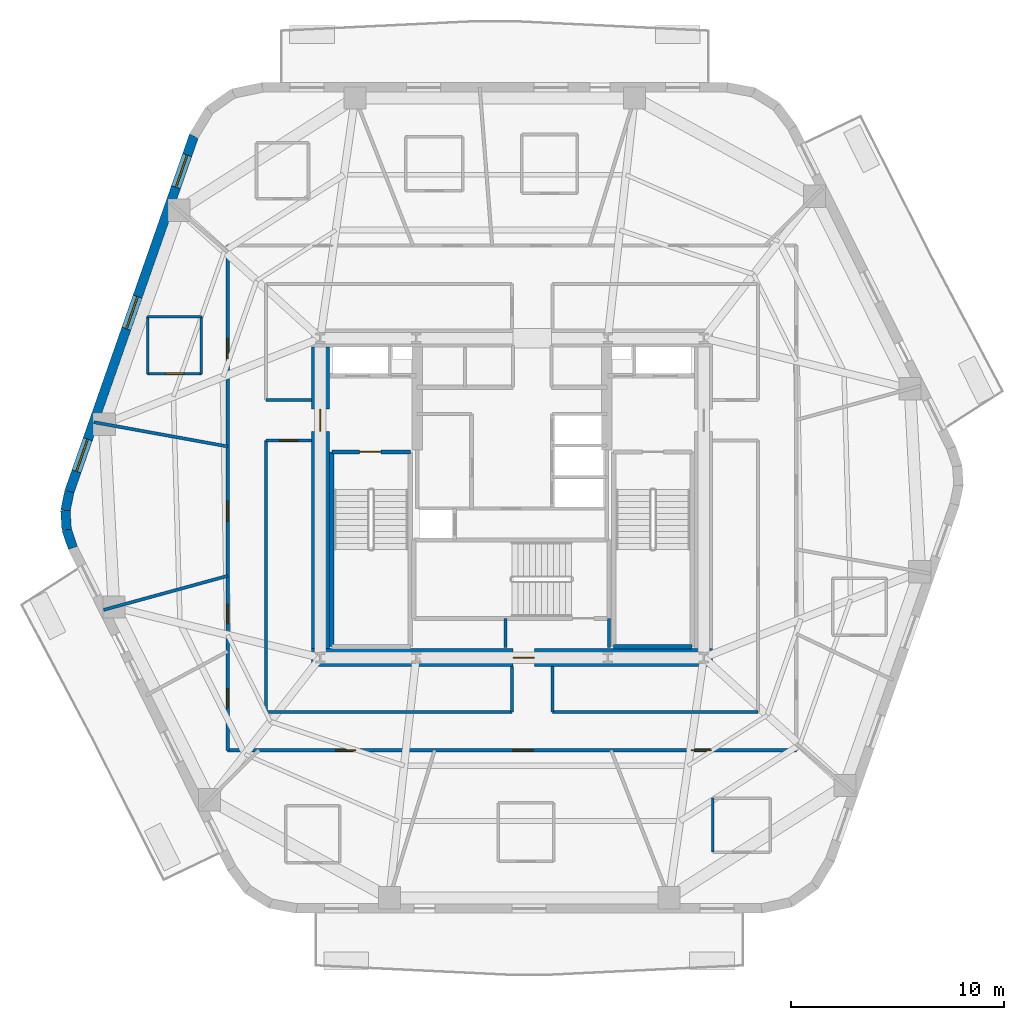
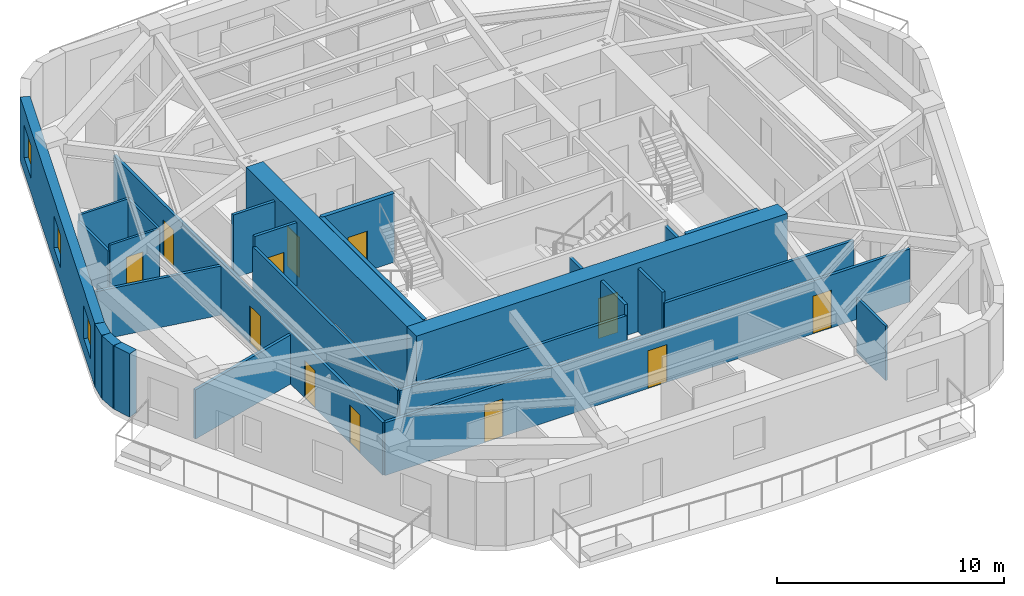
# One storey, part 3 of 10: 27 walls, 12 doors, 3 windows, 15 openings.
"""IFC4 building model written with IfcOpenShell, lengths in metres."""

from ifc_helpers import new_model, si_unit, direction, frame, frame_2d, origin, place, context, subcontext, project, spatial, rectangle, extrude, material, layer, layer_set, type_object, element, fill, save


model = new_model("IFC4")

# Units and contexts
model_context = context("Model", 3, precision=1e-05, world=origin(), true_north=direction((0.0, 1.0)))
body_context = subcontext(model_context, "Body", "Model", "MODEL_VIEW")
ifc_project = project(units=[si_unit("LENGTHUNIT", "METRE"), si_unit("AREAUNIT", "SQUARE_METRE"), si_unit("VOLUMEUNIT", "CUBIC_METRE"), si_unit("PLANEANGLEUNIT", "RADIAN"), si_unit("MASSUNIT", "GRAM", prefix="KILO")], contexts=[model_context])

# Site, building, storey
site_placement = place(None, origin())
site = spatial("IfcSite", under=ifc_project, at=site_placement, CompositionType="ELEMENT")
building_placement = place(site_placement, origin())
building = spatial("IfcBuilding", under=site, at=building_placement, Name="Kilnhurst Terrace Hotel", CompositionType="ELEMENT")
storey_placement = place(building_placement, frame((0.0, 0.0, 151.699951171875)))
storey = spatial("IfcBuildingStorey", under=building, at=storey_placement, Name="L37", CompositionType="ELEMENT", Elevation=151.699951171875)

# Walls
ifc_material_1 = material(Name="Precast concrete C40/50", Category="concrete")
ifc_layer_1 = layer(ifc_material_1, 0.449951171875, Name="Precast concrete C40/50")
ifc_layer_set_1 = layer_set([ifc_layer_1], Name="Precast concrete C40/50")
wall_type_1 = type_object("IfcWallType", Name="WL-BRK-450", PredefinedType="SOLIDWALL", material=ifc_layer_set_1)
wall_1_placement = place(storey_placement, frame((-20.78173828125, 0.298095703125, 0.0), z_axis=(0.0, 0.0, 1.0), x_axis=(-0.202570068411, -0.979267771033, 0.0)))
element("IfcWall", 1, at=wall_1_placement, inside=storey, type_object=wall_type_1, Name="L37 Rounded Corner Brick Wall C6.1", PredefinedType="SOLIDWALL", context=body_context, shape_type="SweptSolid", body=[
    extrude(rectangle(XDim=0.90869140625, YDim=0.449951171875, at=frame_2d((0.454345703125, 0.0))), origin(), (0.0, 0.0, 1.0), 3.400146484375),
])
wall_2_placement = place(storey_placement, frame((-20.9658203125, -0.591796875, 0.0), z_axis=(0.0, 0.0, 1.0), x_axis=(0.061748898935, -0.998091715966, 0.0)))
element("IfcWall", 2, at=wall_2_placement, inside=storey, type_object=wall_type_1, Name="L37 Rounded Corner Brick Wall C6.2", PredefinedType="SOLIDWALL", context=body_context, shape_type="SweptSolid", body=[
    extrude(rectangle(XDim=0.8935546875, YDim=0.449951171875, at=frame_2d((0.44677734375, 0.0))), origin(), (0.0, 0.0, 1.0), 3.400146484375),
])
wall_3_placement = place(storey_placement, frame((-20.91064453125, -1.483642578125, 0.0), z_axis=(0.0, 0.0, 1.0), x_axis=(0.321623334353, -0.946867694453, 0.0)))
element("IfcWall", 3, at=wall_3_placement, inside=storey, type_object=wall_type_1, Name="L37 Rounded Corner Brick Wall C6.3", PredefinedType="SOLIDWALL", context=body_context, shape_type="SweptSolid", body=[
    extrude(rectangle(XDim=0.90869140625, YDim=0.449951171875, at=frame_2d((0.454345703125, 0.0))), origin(), (0.0, 0.0, 1.0), 3.400146484375),
])

# Wall, openings, windows
wall_4_placement = place(storey_placement, frame((-14.936767578125, 16.993408203125, 0.0), z_axis=(0.0, 0.0, 1.0), x_axis=(-0.330431575061, -0.943829949834, 0.0)))
wall_4 = element("IfcWall", 4, at=wall_4_placement, inside=storey, type_object=wall_type_1, Name="L37 Exterior Brick Facade Wall F5", PredefinedType="SOLIDWALL", context=body_context, shape_type="SweptSolid", body=[
    extrude(rectangle(XDim=17.68896484375, YDim=0.449951171875, at=frame_2d((8.844482421875, 0.0))), origin(), (0.0, 0.0, 1.0), 3.400146484375),
])
opening_1_placement = place(wall_4_placement, frame((0.949951171875, 0.0, 0.800048828125)))
opening_1 = element("IfcOpeningElement", 5, at=opening_1_placement, cuts=wall_4, Name="Opening W-05", PredefinedType="OPENING", context=body_context, shape_type="SweptSolid", body=[
    extrude(rectangle(XDim=1.60009765625, YDim=1.75, at=frame_2d((0.800048828125, 0.875))), frame((0.0, 0.23486328125, 0.0), z_axis=(0.0, -1.0, 0.0), x_axis=(1.0, 0.0, 0.0)), (0.0, 0.0, 1.0), 0.469970703125),
])
opening_2_placement = place(wall_4_placement, frame((7.989990234375, 0.0, 0.800048828125)))
opening_2 = element("IfcOpeningElement", 6, at=opening_2_placement, cuts=wall_4, Name="Opening W-05", PredefinedType="OPENING", context=body_context, shape_type="SweptSolid", body=[
    extrude(rectangle(XDim=1.60009765625, YDim=1.75, at=frame_2d((0.800048828125, 0.875))), frame((0.0, 0.23486328125, 0.0), z_axis=(0.0, -1.0, 0.0), x_axis=(1.0, 0.0, 0.0)), (0.0, 0.0, 1.0), 0.469970703125),
])
opening_3_placement = place(wall_4_placement, frame((15.083984375, 0.0, 0.800048828125)))
opening_3 = element("IfcOpeningElement", 7, at=opening_3_placement, cuts=wall_4, Name="Opening W-05", PredefinedType="OPENING", context=body_context, shape_type="SweptSolid", body=[
    extrude(rectangle(XDim=1.60009765625, YDim=1.75, at=frame_2d((0.800048828125, 0.875))), frame((0.0, 0.23486328125, 0.0), z_axis=(0.0, -1.0, 0.0), x_axis=(1.0, 0.0, 0.0)), (0.0, 0.0, 1.0), 0.469970703125),
])
ifc_material_2 = material(Name="Thermally Broken Bronze Aluminium Alloy 6063-T6 and Low-E Glass", Category="aluminium")
window_type = type_object("IfcWindowType", Name="WIN-1600X1750", PartitioningType="SINGLE_PANEL", PredefinedType="WINDOW", material=ifc_material_2)
window_1_placement = place(opening_1_placement, origin())
window_1 = element("IfcWindow", 8, at=window_1_placement, inside=storey, type_object=window_type, Name="L37 Deep-Set Masonry Window F5.1", OverallHeight=1.75, OverallWidth=1.60009765625, PartitioningType="SINGLE_PANEL", PredefinedType="WINDOW", context=body_context, shape_type="SweptSolid", body=[
    extrude(rectangle(XDim=1.60009765625, YDim=1.75, at=frame_2d((0.800048828125, 0.875))), frame((0.0, 0.030029296875, 0.0), z_axis=(0.0, -1.0, 0.0), x_axis=(1.0, 0.0, 0.0)), (0.0, 0.0, 1.0), 0.06005859375),
])
fill(opening_1, window_1)
window_2_placement = place(opening_2_placement, origin())
window_2 = element("IfcWindow", 9, at=window_2_placement, inside=storey, type_object=window_type, Name="L37 Deep-Set Masonry Window F5.2", OverallHeight=1.75, OverallWidth=1.60009765625, PartitioningType="SINGLE_PANEL", PredefinedType="WINDOW", context=body_context, shape_type="SweptSolid", body=[
    extrude(rectangle(XDim=1.60009765625, YDim=1.75, at=frame_2d((0.800048828125, 0.875))), frame((0.0, 0.030029296875, 0.0), z_axis=(0.0, -1.0, 0.0), x_axis=(1.0, 0.0, 0.0)), (0.0, 0.0, 1.0), 0.06005859375),
])
fill(opening_2, window_2)
window_3_placement = place(opening_3_placement, origin())
window_3 = element("IfcWindow", 10, at=window_3_placement, inside=storey, type_object=window_type, Name="L37 Deep-Set Masonry Window F5.3", OverallHeight=1.75, OverallWidth=1.60009765625, PartitioningType="SINGLE_PANEL", PredefinedType="WINDOW", context=body_context, shape_type="SweptSolid", body=[
    extrude(rectangle(XDim=1.60009765625, YDim=1.75, at=frame_2d((0.800048828125, 0.875))), frame((0.0, 0.030029296875, 0.0), z_axis=(0.0, -1.0, 0.0), x_axis=(1.0, 0.0, 0.0)), (0.0, 0.0, 1.0), 0.06005859375),
])
fill(opening_3, window_3)

# Wall, openings, doors
ifc_material_3 = material(Name="Acoustic Double-Gypsum Corridor Partition Assembly")
ifc_layer_2 = layer(ifc_material_3, 0.14990234375, Name="Acoustic Double-Gypsum Corridor Partition Assembly")
ifc_layer_set_2 = layer_set([ifc_layer_2], Name="Acoustic Double-Gypsum Corridor Partition Assembly")
wall_type_2 = type_object("IfcWallType", Name="WL-COR-150", PredefinedType="PARTITIONING", material=ifc_layer_set_2)
wall_5_placement = place(storey_placement, frame((13.35009765625, -11.85009765625, 0.0), z_axis=(0.0, 0.0, 1.0), x_axis=(-1.0, 0.0, 0.0)))
wall_5 = element("IfcWall", 11, at=wall_5_placement, inside=storey, type_object=wall_type_2, Name="L37 Interior Wall WL-L37-COR-01", PredefinedType="PARTITIONING", context=body_context, shape_type="SweptSolid", body=[
    extrude(rectangle(XDim=26.7001953125, YDim=0.14990234375, at=frame_2d((13.35009765625, 0.0))), origin(), (0.0, 0.0, 1.0), 2.840087890625),
])
opening_4_placement = place(wall_5_placement, frame((20.681884765625, 0.0, 0.0)))
opening_4 = element("IfcOpeningElement", 12, at=opening_4_placement, cuts=wall_5, Name="Opening D-60B", PredefinedType="OPENING", context=body_context, shape_type="SweptSolid", body=[
    extrude(rectangle(XDim=0.949951171875, YDim=2.030029296875, at=frame_2d((0.47509765625, 1.01513671875))), frame((0.0, 0.0849609375, 0.0), z_axis=(0.0, -1.0, 0.0), x_axis=(1.0, 0.0, 0.0)), (0.0, 0.0, 1.0), 0.169921875),
])
opening_5_placement = place(wall_5_placement, frame((12.362060546875, 0.0, 0.0)))
opening_5 = element("IfcOpeningElement", 13, at=opening_5_placement, cuts=wall_5, Name="Opening D-60B", PredefinedType="OPENING", context=body_context, shape_type="SweptSolid", body=[
    extrude(rectangle(XDim=0.949951171875, YDim=2.030029296875, at=frame_2d((0.47509765625, 1.01513671875))), frame((0.0, 0.0849609375, 0.0), z_axis=(0.0, -1.0, 0.0), x_axis=(1.0, 0.0, 0.0)), (0.0, 0.0, 1.0), 0.169921875),
])
opening_6_placement = place(wall_5_placement, frame((3.9951171875, 0.0, 0.0)))
opening_6 = element("IfcOpeningElement", 14, at=opening_6_placement, cuts=wall_5, Name="Opening D-60B", PredefinedType="OPENING", context=body_context, shape_type="SweptSolid", body=[
    extrude(rectangle(XDim=0.949951171875, YDim=2.030029296875, at=frame_2d((0.47509765625, 1.01513671875))), frame((0.0, 0.0849609375, 0.0), z_axis=(0.0, -1.0, 0.0), x_axis=(1.0, 0.0, 0.0)), (0.0, 0.0, 1.0), 0.169921875),
])
ifc_material_4 = material(Name="Acoustic Walnut Veneer Solid-Core Fire Door")
door_type_1 = type_object("IfcDoorType", Name="DR-FD60-950", OperationType="NOTDEFINED", PredefinedType="DOOR", material=ifc_material_4)
door_1_placement = place(opening_4_placement, origin())
door_1 = element("IfcDoor", 15, at=door_1_placement, inside=storey, type_object=door_type_1, Name="L37 Executive Suite Entry Door 10", OperationType="SINGLE_SWING_RIGHT", OverallHeight=2.030029296875, OverallWidth=0.949951171875, PredefinedType="DOOR", context=body_context, shape_type="SweptSolid", body=[
    extrude(rectangle(XDim=0.949951171875, YDim=2.030029296875, at=frame_2d((0.47509765625, 1.01513671875))), frame((0.0, 0.02490234375, 0.0), z_axis=(0.0, -1.0, 0.0), x_axis=(1.0, 0.0, 0.0)), (0.0, 0.0, 1.0), 0.050048828125),
])
fill(opening_4, door_1)
door_2_placement = place(opening_5_placement, origin())
door_2 = element("IfcDoor", 16, at=door_2_placement, inside=storey, type_object=door_type_1, Name="L37 Executive Suite Entry Door 11", OperationType="SINGLE_SWING_LEFT", OverallHeight=2.030029296875, OverallWidth=0.949951171875, PredefinedType="DOOR", context=body_context, shape_type="SweptSolid", body=[
    extrude(rectangle(XDim=0.949951171875, YDim=2.030029296875, at=frame_2d((0.47509765625, 1.01513671875))), frame((0.0, 0.02490234375, 0.0), z_axis=(0.0, -1.0, 0.0), x_axis=(1.0, 0.0, 0.0)), (0.0, 0.0, 1.0), 0.050048828125),
])
fill(opening_5, door_2)
door_3_placement = place(opening_6_placement, origin())
door_3 = element("IfcDoor", 17, at=door_3_placement, inside=storey, type_object=door_type_1, Name="L37 Executive Suite Entry Door 12", OperationType="SINGLE_SWING_RIGHT", OverallHeight=2.030029296875, OverallWidth=0.949951171875, PredefinedType="DOOR", context=body_context, shape_type="SweptSolid", body=[
    extrude(rectangle(XDim=0.949951171875, YDim=2.030029296875, at=frame_2d((0.47509765625, 1.01513671875))), frame((0.0, 0.02490234375, 0.0), z_axis=(0.0, -1.0, 0.0), x_axis=(1.0, 0.0, 0.0)), (0.0, 0.0, 1.0), 0.050048828125),
])
fill(opening_6, door_3)

wall_6_placement = place(storey_placement, frame((-13.35009765625, -11.85009765625, 0.0), z_axis=(0.0, 0.0, 1.0), x_axis=(0.0, 1.0, 0.0)))
wall_6 = element("IfcWall", 18, at=wall_6_placement, inside=storey, type_object=wall_type_2, Name="L37 Interior Wall WL-L37-COR-02", PredefinedType="PARTITIONING", context=body_context, shape_type="SweptSolid", body=[
    extrude(rectangle(XDim=23.7001953125, YDim=0.14990234375, at=frame_2d((11.85009765625, 0.0))), origin(), (0.0, 0.0, 1.0), 2.840087890625),
])
opening_7_placement = place(wall_6_placement, frame((18.388916015625, 0.0, 0.0)))
opening_7 = element("IfcOpeningElement", 19, at=opening_7_placement, cuts=wall_6, Name="Opening D-60B", PredefinedType="OPENING", context=body_context, shape_type="SweptSolid", body=[
    extrude(rectangle(XDim=0.949951171875, YDim=2.030029296875, at=frame_2d((0.47509765625, 1.01513671875))), frame((0.0, 0.0849609375, 0.0), z_axis=(0.0, -1.0, 0.0), x_axis=(1.0, 0.0, 0.0)), (0.0, 0.0, 1.0), 0.169921875),
])
opening_8_placement = place(wall_6_placement, frame((10.7509765625, 0.0, 0.0)))
opening_8 = element("IfcOpeningElement", 20, at=opening_8_placement, cuts=wall_6, Name="Opening D-60B", PredefinedType="OPENING", context=body_context, shape_type="SweptSolid", body=[
    extrude(rectangle(XDim=0.949951171875, YDim=2.030029296875, at=frame_2d((0.47509765625, 1.01513671875))), frame((0.0, 0.0849609375, 0.0), z_axis=(0.0, -1.0, 0.0), x_axis=(1.0, 0.0, 0.0)), (0.0, 0.0, 1.0), 0.169921875),
])
opening_9_placement = place(wall_6_placement, frame((5.950927734375, 0.0, 0.0)))
opening_9 = element("IfcOpeningElement", 21, at=opening_9_placement, cuts=wall_6, Name="Opening D-60C", PredefinedType="OPENING", context=body_context, shape_type="SweptSolid", body=[
    extrude(rectangle(XDim=0.89990234375, YDim=2.030029296875, at=frame_2d((0.449951171875, 1.01513671875))), frame((0.0, 0.0849609375, 0.0), z_axis=(0.0, -1.0, 0.0), x_axis=(1.0, 0.0, 0.0)), (0.0, 0.0, 1.0), 0.169921875),
])
opening_10_placement = place(wall_6_placement, frame((1.992919921875, 0.0, 0.0)))
opening_10 = element("IfcOpeningElement", 22, at=opening_10_placement, cuts=wall_6, Name="Opening D-60C", PredefinedType="OPENING", context=body_context, shape_type="SweptSolid", body=[
    extrude(rectangle(XDim=0.89990234375, YDim=2.030029296875, at=frame_2d((0.449951171875, 1.01513671875))), frame((0.0, 0.0849609375, 0.0), z_axis=(0.0, -1.0, 0.0), x_axis=(1.0, 0.0, 0.0)), (0.0, 0.0, 1.0), 0.169921875),
])
ifc_material_5 = material(Name="Painted Solid-Core Service Fire Door")
door_type_2 = type_object("IfcDoorType", Name="DR-FD60-900", OperationType="NOTDEFINED", PredefinedType="DOOR", material=ifc_material_5)
door_4_placement = place(opening_9_placement, origin())
door_4 = element("IfcDoor", 23, at=door_4_placement, inside=storey, type_object=door_type_2, Name="L37 Executive Work Office Door 8", OperationType="SINGLE_SWING_RIGHT", OverallHeight=2.030029296875, OverallWidth=0.89990234375, PredefinedType="DOOR", context=body_context, shape_type="SweptSolid", body=[
    extrude(rectangle(XDim=0.89990234375, YDim=2.030029296875, at=frame_2d((0.449951171875, 1.01513671875))), frame((0.0, 0.02490234375, 0.0), z_axis=(0.0, -1.0, 0.0), x_axis=(1.0, 0.0, 0.0)), (0.0, 0.0, 1.0), 0.050048828125),
])
fill(opening_9, door_4)
door_5_placement = place(opening_10_placement, origin())
door_5 = element("IfcDoor", 24, at=door_5_placement, inside=storey, type_object=door_type_2, Name="L37 Botanical Reading Lounge Door 9", OperationType="SINGLE_SWING_LEFT", OverallHeight=2.030029296875, OverallWidth=0.89990234375, PredefinedType="DOOR", context=body_context, shape_type="SweptSolid", body=[
    extrude(rectangle(XDim=0.89990234375, YDim=2.030029296875, at=frame_2d((0.449951171875, 1.01513671875))), frame((0.0, 0.02490234375, 0.0), z_axis=(0.0, -1.0, 0.0), x_axis=(1.0, 0.0, 0.0)), (0.0, 0.0, 1.0), 0.050048828125),
])
fill(opening_10, door_5)
door_6_placement = place(opening_7_placement, origin())
door_6 = element("IfcDoor", 25, at=door_6_placement, inside=storey, type_object=door_type_1, Name="L37 Guest Room Entry Door 6", OperationType="SINGLE_SWING_RIGHT", OverallHeight=2.030029296875, OverallWidth=0.949951171875, PredefinedType="DOOR", context=body_context, shape_type="SweptSolid", body=[
    extrude(rectangle(XDim=0.949951171875, YDim=2.030029296875, at=frame_2d((0.47509765625, 1.01513671875))), frame((0.0, 0.02490234375, 0.0), z_axis=(0.0, -1.0, 0.0), x_axis=(1.0, 0.0, 0.0)), (0.0, 0.0, 1.0), 0.050048828125),
])
fill(opening_7, door_6)
door_7_placement = place(opening_8_placement, origin())
door_7 = element("IfcDoor", 26, at=door_7_placement, inside=storey, type_object=door_type_1, Name="L37 Wellness Treatment Room Door", OperationType="SINGLE_SWING_LEFT", OverallHeight=2.030029296875, OverallWidth=0.949951171875, PredefinedType="DOOR", context=body_context, shape_type="SweptSolid", body=[
    extrude(rectangle(XDim=0.949951171875, YDim=2.030029296875, at=frame_2d((0.47509765625, 1.01513671875))), frame((0.0, 0.02490234375, 0.0), z_axis=(0.0, -1.0, 0.0), x_axis=(1.0, 0.0, 0.0)), (0.0, 0.0, 1.0), 0.050048828125),
])
fill(opening_8, door_7)

# Wall
wall_7_placement = place(storey_placement, frame((-11.550048828125, 4.60009765625, 0.0), z_axis=(0.0, 0.0, 1.0), x_axis=(1.0, 0.0, 0.0)))
element("IfcWall", 27, at=wall_7_placement, inside=storey, type_object=wall_type_2, Name="L37 Interior Wall WL-L37-COR-14", PredefinedType="PARTITIONING", context=body_context, shape_type="SweptSolid", body=[
    extrude(rectangle(XDim=2.125, YDim=0.14990234375, at=frame_2d((1.0625, 0.0))), origin(), (0.0, 0.0, 1.0), 3.400146484375),
])

# Wall, opening, door
wall_8_placement = place(storey_placement, frame((-9.425048828125, 2.699951171875, 0.0), z_axis=(0.0, 0.0, 1.0), x_axis=(-1.0, 0.0, 0.0)))
wall_8 = element("IfcWall", 28, at=wall_8_placement, inside=storey, type_object=wall_type_2, Name="L37 Interior Wall WL-L37-COR-15", PredefinedType="PARTITIONING", context=body_context, shape_type="SweptSolid", body=[
    extrude(rectangle(XDim=2.125, YDim=0.14990234375, at=frame_2d((1.0625, 0.0))), origin(), (0.0, 0.0, 1.0), 3.400146484375),
])
opening_11_placement = place(wall_8_placement, frame((0.636962890625, 0.0, 0.0)))
opening_11 = element("IfcOpeningElement", 29, at=opening_11_placement, cuts=wall_8, Name="Opening D-60D", PredefinedType="OPENING", context=body_context, shape_type="SweptSolid", body=[
    extrude(rectangle(XDim=0.85009765625, YDim=2.030029296875, at=frame_2d((0.425048828125, 1.01513671875))), frame((0.0, 0.0849609375, 0.0), z_axis=(0.0, -1.0, 0.0), x_axis=(1.0, 0.0, 0.0)), (0.0, 0.0, 1.0), 0.169921875),
])
ifc_material_6 = material(Name="Painted Hollow Metal Steel ASTM A36 Riser Door", Category="steel")
door_type_3 = type_object("IfcDoorType", Name="DR-FD60-850", OperationType="NOTDEFINED", PredefinedType="DOOR", material=ifc_material_6)
door_8_placement = place(opening_11_placement, origin())
door_8 = element("IfcDoor", 30, at=door_8_placement, inside=storey, type_object=door_type_3, Name="L37 Floor Linen Storage Room Door", OperationType="SINGLE_SWING_LEFT", OverallHeight=2.030029296875, OverallWidth=0.85009765625, PredefinedType="DOOR", context=body_context, shape_type="SweptSolid", body=[
    extrude(rectangle(XDim=0.85009765625, YDim=2.030029296875, at=frame_2d((0.425048828125, 1.01513671875))), frame((0.0, 0.02490234375, 0.0), z_axis=(0.0, -1.0, 0.0), x_axis=(1.0, 0.0, 0.0)), (0.0, 0.0, 1.0), 0.050048828125),
])
fill(opening_11, door_8)

# Walls
wall_9_placement = place(storey_placement, frame((-11.550048828125, 2.699951171875, 0.0), z_axis=(0.0, 0.0, 1.0), x_axis=(0.0, -1.0, 0.0)))
element("IfcWall", 31, at=wall_9_placement, inside=storey, type_object=wall_type_2, Name="L37 Interior Wall WL-L37-COR-16", PredefinedType="PARTITIONING", context=body_context, shape_type="SweptSolid", body=[
    extrude(rectangle(XDim=12.75, YDim=0.14990234375, at=frame_2d((6.375, 0.0))), origin(), (0.0, 0.0, 1.0), 2.840087890625),
])
wall_10_placement = place(storey_placement, frame((-11.550048828125, -10.050048828125, 0.0), z_axis=(0.0, 0.0, 1.0), x_axis=(1.0, 0.0, 0.0)))
element("IfcWall", 32, at=wall_10_placement, inside=storey, type_object=wall_type_2, Name="L37 Interior Wall WL-L37-COR-17", PredefinedType="PARTITIONING", context=body_context, shape_type="SweptSolid", body=[
    extrude(rectangle(XDim=11.550048828125, YDim=0.14990234375, at=frame_2d((5.77490234375, 0.0))), origin(), (0.0, 0.0, 1.0), 2.840087890625),
])
for number, where, z_axis, x_axis, name in (
    (33, (0.0, -10.050048828125, 0.0), (0.0, 0.0, 1.0), (0.0, 1.0, 0.0), "L37 Interior Wall WL-L37-COR-18"),
    (34, (1.89990234375, -7.925048828125, 0.0), (0.0, 0.0, 1.0), (0.0, -1.0, 0.0), "L37 Interior Wall WL-L37-COR-19"),
):
    element("IfcWall", number, at=place(storey_placement, frame(where, z_axis=z_axis, x_axis=x_axis)), inside=storey, type_object=wall_type_2, Name=name, PredefinedType="PARTITIONING", context=body_context, shape_type="SweptSolid", body=[
        extrude(rectangle(XDim=2.125, YDim=0.14990234375, at=frame_2d((1.0625, 0.0))), origin(), (0.0, 0.0, 1.0), 3.400146484375),
    ])
wall_11_placement = place(storey_placement, frame((1.89990234375, -10.050048828125, 0.0), z_axis=(0.0, 0.0, 1.0), x_axis=(1.0, 0.0, 0.0)))
element("IfcWall", 35, at=wall_11_placement, inside=storey, type_object=wall_type_2, Name="L37 Interior Wall WL-L37-COR-20", PredefinedType="PARTITIONING", context=body_context, shape_type="SweptSolid", body=[
    extrude(rectangle(XDim=9.650146484375, YDim=0.14990234375, at=frame_2d((4.8251953125, 0.0))), origin(), (0.0, 0.0, 1.0), 2.840087890625),
])

# Wall, opening, door
ifc_material_7 = material(Name="Concrete C80/95", Category="concrete")
ifc_layer_3 = layer(ifc_material_7, 0.85009765625, Name="Concrete C80/95")
ifc_layer_set_3 = layer_set([ifc_layer_3], Name="Concrete C80/95")
wall_type_3 = type_object("IfcWallType", Name="WL-CORE-850", PredefinedType="SHEAR", material=ifc_layer_set_3)
wall_12_placement = place(storey_placement, frame((-9.425048828125, -7.5, 0.0), z_axis=(0.0, 0.0, 1.0), x_axis=(1.0, 0.0, 0.0)))
wall_12 = element("IfcWall", 36, at=wall_12_placement, inside=storey, type_object=wall_type_3, Name="L37 Core South Shear Wall", PredefinedType="SHEAR", context=body_context, shape_type="SweptSolid", body=[
    extrude(rectangle(XDim=18.85009765625, YDim=0.85009765625, at=frame_2d((9.425048828125, 0.0))), origin(), (0.0, 0.0, 1.0), 3.699951171875),
])
opening_12_placement = place(wall_12_placement, frame((9.47509765625, 0.0, 0.0)))
opening_12 = element("IfcOpeningElement", 37, at=opening_12_placement, cuts=wall_12, Name="Opening D-90B", PredefinedType="OPENING", context=body_context, shape_type="SweptSolid", body=[
    extrude(rectangle(XDim=1.0, YDim=2.14990234375, at=frame_2d((0.5, 1.074951171875))), frame((0.0, 0.43505859375, 0.0), z_axis=(0.0, -1.0, 0.0), x_axis=(1.0, 0.0, 0.0)), (0.0, 0.0, 1.0), 0.8701171875),
])
ifc_material_8 = material(Name="Painted Hollow Metal Steel ASTM A36 Fire Door", Category="steel")
door_type_4 = type_object("IfcDoorType", Name="DR-FD90-1000", OperationType="NOTDEFINED", PredefinedType="DOOR", material=ifc_material_8)
door_9_placement = place(opening_12_placement, origin())
door_9 = element("IfcDoor", 38, at=door_9_placement, inside=storey, type_object=door_type_4, Name="L37 Stair ST-3 Corridor Door", OperationType="SINGLE_SWING_RIGHT", OverallHeight=2.14990234375, OverallWidth=1.0, PredefinedType="DOOR", context=body_context, shape_type="SweptSolid", body=[
    extrude(rectangle(XDim=1.0, YDim=2.14990234375, at=frame_2d((0.5, 1.074951171875))), frame((0.0, 0.02490234375, 0.0), z_axis=(0.0, -1.0, 0.0), x_axis=(1.0, 0.0, 0.0)), (0.0, 0.0, 1.0), 0.050048828125),
])
fill(opening_12, door_9)

wall_13_placement = place(storey_placement, frame((-9.0, -7.074951171875, 0.0), z_axis=(0.0, 0.0, 1.0), x_axis=(0.0, 1.0, 0.0)))
wall_13 = element("IfcWall", 39, at=wall_13_placement, inside=storey, type_object=wall_type_3, Name="L37 Core West Shear Wall", PredefinedType="SHEAR", context=body_context, shape_type="SweptSolid", body=[
    extrude(rectangle(XDim=14.14990234375, YDim=0.85009765625, at=frame_2d((7.074951171875, 0.0))), origin(), (0.0, 0.0, 1.0), 3.699951171875),
])
opening_13_placement = place(wall_13_placement, frame((10.199951171875, 0.0, 0.0)))
opening_13 = element("IfcOpeningElement", 40, at=opening_13_placement, cuts=wall_13, Name="Opening D-90A", PredefinedType="OPENING", context=body_context, shape_type="SweptSolid", body=[
    extrude(rectangle(XDim=1.050048828125, YDim=2.14990234375, at=frame_2d((0.52490234375, 1.074951171875))), frame((0.0, 0.43505859375, 0.0), z_axis=(0.0, -1.0, 0.0), x_axis=(1.0, 0.0, 0.0)), (0.0, 0.0, 1.0), 0.8701171875),
])
door_type_5 = type_object("IfcDoorType", Name="DR-FD90-1050", OperationType="NOTDEFINED", PredefinedType="DOOR", material=ifc_material_8)
door_10_placement = place(opening_13_placement, origin())
door_10 = element("IfcDoor", 41, at=door_10_placement, inside=storey, type_object=door_type_5, Name="L37 West Firefighting Lobby Door", OperationType="SINGLE_SWING_RIGHT", OverallHeight=2.14990234375, OverallWidth=1.050048828125, PredefinedType="DOOR", context=body_context, shape_type="SweptSolid", body=[
    extrude(rectangle(XDim=1.050048828125, YDim=2.14990234375, at=frame_2d((0.52490234375, 1.074951171875))), frame((0.0, 0.02490234375, 0.0), z_axis=(0.0, -1.0, 0.0), x_axis=(1.0, 0.0, 0.0)), (0.0, 0.0, 1.0), 0.050048828125),
])
fill(opening_13, door_10)

# Walls
ifc_material_9 = material(Name="STC-58 Acoustic Twin-Frame Guestroom Demising Partition")
ifc_layer_4 = layer(ifc_material_9, 0.14990234375, Name="STC-58 Acoustic Twin-Frame Guestroom Demising Partition")
ifc_layer_set_4 = layer_set([ifc_layer_4], Name="STC-58 Acoustic Twin-Frame Guestroom Demising Partition")
wall_type_4 = type_object("IfcWallType", Name="WL-DEM-150", PredefinedType="PARTITIONING", material=ifc_layer_set_4)
wall_14_placement = place(storey_placement, frame((-13.35009765625, 2.417236328125, 0.0), z_axis=(0.0, 0.0, 1.0), x_axis=(-0.98399796473, 0.178179699761, 0.0)))
element("IfcWall", 42, at=wall_14_placement, inside=storey, type_object=wall_type_4, Name="L37 Interior Wall WL-L37-DEM-COL06-07-1", PredefinedType="PARTITIONING", context=body_context, shape_type="SweptSolid", body=[
    extrude(rectangle(XDim=6.393310546875, YDim=0.14990234375, at=frame_2d((3.19677734375, 0.0))), origin(), (0.0, 0.0, 1.0), 2.64013671875),
])
wall_15_placement = place(storey_placement, frame((-13.35009765625, -3.66064453125, 0.0), z_axis=(0.0, 0.0, 1.0), x_axis=(-0.964397145454, -0.264458211898, 0.0)))
element("IfcWall", 43, at=wall_15_placement, inside=storey, type_object=wall_type_4, Name="L37 Interior Wall WL-L37-DEM-COL07-08-1", PredefinedType="PARTITIONING", context=body_context, shape_type="SweptSolid", body=[
    extrude(rectangle(XDim=6.03857421875, YDim=0.14990234375, at=frame_2d((3.019287109375, 0.0))), origin(), (0.0, 0.0, 1.0), 2.64013671875),
])

# Wall, opening, door
ifc_material_10 = material(Name="120 mm Moisture-Resistant Tile-Backed Bathroom Partition")
ifc_layer_5 = layer(ifc_material_10, 0.1201171875, Name="120 mm Moisture-Resistant Tile-Backed Bathroom Partition")
ifc_layer_set_5 = layer_set([ifc_layer_5], Name="120 mm Moisture-Resistant Tile-Backed Bathroom Partition")
wall_type_5 = type_object("IfcWallType", Name="WL-PART-120", PredefinedType="PARTITIONING", material=ifc_layer_set_5)
wall_16_placement = place(storey_placement, frame((-17.10302734375, 5.8291015625, 0.0), z_axis=(0.0, 0.0, 1.0), x_axis=(1.0, 0.0, 0.0)))
wall_16 = element("IfcWall", 44, at=wall_16_placement, inside=storey, type_object=wall_type_5, Name="L37 Interior Wall WL-L37-BTH-06-1", PredefinedType="PARTITIONING", context=body_context, shape_type="SweptSolid", body=[
    extrude(rectangle(XDim=2.52001953125, YDim=0.1201171875, at=frame_2d((1.260009765625, 0.0))), origin(), (0.0, 0.0, 1.0), 2.972412109375),
])
opening_14_placement = place(wall_16_placement, frame((0.8349609375, 0.0, 0.0)))
opening_14 = element("IfcOpeningElement", 45, at=opening_14_placement, cuts=wall_16, Name="Opening D-08A", PredefinedType="OPENING", context=body_context, shape_type="SweptSolid", body=[
    extrude(rectangle(XDim=0.85009765625, YDim=2.030029296875, at=frame_2d((0.425048828125, 1.01513671875))), frame((0.0, 0.070068359375, 0.0), z_axis=(0.0, -1.0, 0.0), x_axis=(1.0, 0.0, 0.0)), (0.0, 0.0, 1.0), 0.14013671875),
])
ifc_material_11 = material(Name="Moisture-Resistant Lacquered En-suite Bathroom Door")
door_type_6 = type_object("IfcDoorType", Name="DR-INT-850", OperationType="NOTDEFINED", PredefinedType="DOOR", material=ifc_material_11)
door_11_placement = place(opening_14_placement, origin())
door_11 = element("IfcDoor", 46, at=door_11_placement, inside=storey, type_object=door_type_6, Name="L37 En-suite Bathroom Door 6", OperationType="SINGLE_SWING_LEFT", OverallHeight=2.030029296875, OverallWidth=0.85009765625, PredefinedType="DOOR", context=body_context, shape_type="SweptSolid", body=[
    extrude(rectangle(XDim=0.85009765625, YDim=2.030029296875, at=frame_2d((0.425048828125, 1.01513671875))), frame((0.0, 0.02490234375, 0.0), z_axis=(0.0, -1.0, 0.0), x_axis=(1.0, 0.0, 0.0)), (0.0, 0.0, 1.0), 0.050048828125),
])
fill(opening_14, door_11)

# Walls
wall_17_placement = place(storey_placement, frame((-14.5830078125, 5.8291015625, 0.0), z_axis=(0.0, 0.0, 1.0), x_axis=(0.0, 1.0, 0.0)))
element("IfcWall", 47, at=wall_17_placement, inside=storey, type_object=wall_type_5, Name="L37 Interior Wall WL-L37-BTH-06-2", PredefinedType="PARTITIONING", context=body_context, shape_type="SweptSolid", body=[
    extrude(rectangle(XDim=2.679931640625, YDim=0.1201171875, at=frame_2d((1.33984375, 0.0))), origin(), (0.0, 0.0, 1.0), 2.972412109375),
])
wall_18_placement = place(storey_placement, frame((-14.5830078125, 8.509033203125, 0.0), z_axis=(0.0, 0.0, 1.0), x_axis=(-1.0, 0.0, 0.0)))
element("IfcWall", 48, at=wall_18_placement, inside=storey, type_object=wall_type_5, Name="L37 Interior Wall WL-L37-BTH-06-3", PredefinedType="PARTITIONING", context=body_context, shape_type="SweptSolid", body=[
    extrude(rectangle(XDim=2.52001953125, YDim=0.1201171875, at=frame_2d((1.260009765625, 0.0))), origin(), (0.0, 0.0, 1.0), 2.972412109375),
])
wall_19_placement = place(storey_placement, frame((-17.10302734375, 8.509033203125, 0.0), z_axis=(0.0, 0.0, 1.0), x_axis=(0.0, -1.0, 0.0)))
element("IfcWall", 49, at=wall_19_placement, inside=storey, type_object=wall_type_5, Name="L37 Interior Wall WL-L37-BTH-06-4", PredefinedType="PARTITIONING", context=body_context, shape_type="SweptSolid", body=[
    extrude(rectangle(XDim=2.679931640625, YDim=0.1201171875, at=frame_2d((1.33984375, 0.0))), origin(), (0.0, 0.0, 1.0), 2.64013671875),
])
wall_20_placement = place(storey_placement, frame((9.43603515625, -14.092041015625, 0.0), z_axis=(0.0, 0.0, 1.0), x_axis=(0.0, -1.0, 0.0)))
element("IfcWall", 50, at=wall_20_placement, inside=storey, type_object=wall_type_5, Name="L37 Interior Wall WL-L37-BTH-12-4", PredefinedType="PARTITIONING", context=body_context, shape_type="SweptSolid", body=[
    extrude(rectangle(XDim=2.5400390625, YDim=0.1201171875, at=frame_2d((1.27001953125, 0.0))), origin(), (0.0, 0.0, 1.0), 2.926513671875),
])
ifc_material_12 = material(Name="Fire-Rated Gypsum Shaftliner Assembly")
ifc_layer_6 = layer(ifc_material_12, 0.14990234375, Name="Fire-Rated Gypsum Shaftliner Assembly")
ifc_layer_set_6 = layer_set([ifc_layer_6], Name="Fire-Rated Gypsum Shaftliner Assembly")
wall_type_6 = type_object("IfcWallType", Name="WL-SHAFT-150", PredefinedType="PARTITIONING", material=ifc_layer_set_6)
for number, where, z_axis, x_axis, name in (
    (51, (-0.300048828125, -7.02001953125, 0.0), (0.0, 0.0, 1.0), (0.0, 1.0, 0.0), "L37 Interior Wall WL-L37-ST3-PSGW"),
    (52, (4.55810546875, -7.02001953125, 0.0), (0.0, 0.0, 1.0), (0.0, 1.0, 0.0), "L37 Interior Wall WL-L37-ST3-PSGE"),
):
    element("IfcWall", number, at=place(storey_placement, frame(where, z_axis=z_axis, x_axis=x_axis)), inside=storey, type_object=wall_type_6, Name=name, PredefinedType="PARTITIONING", context=body_context, shape_type="SweptSolid", body=[
        extrude(rectangle(XDim=1.362060546875, YDim=0.14990234375, at=frame_2d((0.68115234375, 0.0))), origin(), (0.0, 0.0, 1.0), 3.400146484375),
    ])
ifc_material_13 = material(Name="Concrete C50/60", Category="concrete")
ifc_layer_7 = layer(ifc_material_13, 0.199951171875, Name="Concrete C50/60")
ifc_layer_set_7 = layer_set([ifc_layer_7], Name="Concrete C50/60")
wall_type_7 = type_object("IfcWallType", Name="WL-STAIR-RC-200", PredefinedType="SHEAR", material=ifc_layer_set_7)
wall_21_placement = place(storey_placement, frame((-8.4580078125, -6.985107421875, 0.0), z_axis=(0.0, 0.0, 1.0), x_axis=(0.0, 1.0, 0.0)))
element("IfcWall", 53, at=wall_21_placement, inside=storey, type_object=wall_type_7, Name="L37 Structural Stair Shaft Wall WL-L37-ST1-W", PredefinedType="SHEAR", context=body_context, shape_type="SweptSolid", body=[
    extrude(rectangle(XDim=9.14306640625, YDim=0.199951171875, at=frame_2d((4.571533203125, 0.0))), origin(), (0.0, 0.0, 1.0), 3.699951171875),
])

# Wall, opening, door
wall_22_placement = place(storey_placement, frame((-8.4580078125, 2.157958984375, 0.0), z_axis=(0.0, 0.0, 1.0), x_axis=(1.0, 0.0, 0.0)))
wall_22 = element("IfcWall", 54, at=wall_22_placement, inside=storey, type_object=wall_type_7, Name="L37 Structural Stair Shaft Wall WL-L37-ST1-N", PredefinedType="SHEAR", context=body_context, shape_type="SweptSolid", body=[
    extrude(rectangle(XDim=3.68603515625, YDim=0.199951171875, at=frame_2d((1.843017578125, 0.0))), origin(), (0.0, 0.0, 1.0), 3.699951171875),
])
opening_15_placement = place(wall_22_placement, frame((1.300048828125, 0.0, 0.0)))
opening_15 = element("IfcOpeningElement", 55, at=opening_15_placement, cuts=wall_22, Name="Opening D-90B", PredefinedType="OPENING", context=body_context, shape_type="SweptSolid", body=[
    extrude(rectangle(XDim=1.0, YDim=2.14990234375, at=frame_2d((0.5, 1.074951171875))), frame((0.0, 0.10986328125, 0.0), z_axis=(0.0, -1.0, 0.0), x_axis=(1.0, 0.0, 0.0)), (0.0, 0.0, 1.0), 0.219970703125),
])
door_12_placement = place(opening_15_placement, origin())
door_12 = element("IfcDoor", 56, at=door_12_placement, inside=storey, type_object=door_type_4, Name="L37 Stair ST-1 Door", OperationType="SINGLE_SWING_LEFT", OverallHeight=2.14990234375, OverallWidth=1.0, PredefinedType="DOOR", context=body_context, shape_type="SweptSolid", body=[
    extrude(rectangle(XDim=1.0, YDim=2.14990234375, at=frame_2d((0.5, 1.074951171875))), frame((0.0, 0.02490234375, 0.0), z_axis=(0.0, -1.0, 0.0), x_axis=(1.0, 0.0, 0.0)), (0.0, 0.0, 1.0), 0.050048828125),
])
fill(opening_15, door_12)

# Wall
wall_23_placement = place(storey_placement, frame((4.77197265625, -6.985107421875, 0.0), z_axis=(0.0, 0.0, 1.0), x_axis=(1.0, 0.0, 0.0)))
element("IfcWall", 57, at=wall_23_placement, inside=storey, type_object=wall_type_7, Name="L37 Structural Stair Shaft Wall WL-L37-ST2-S", PredefinedType="SHEAR", context=body_context, shape_type="SweptSolid", body=[
    extrude(rectangle(XDim=3.68603515625, YDim=0.199951171875, at=frame_2d((1.843017578125, 0.0))), origin(), (0.0, 0.0, 1.0), 3.699951171875),
])

save(model, "model.ifc")
